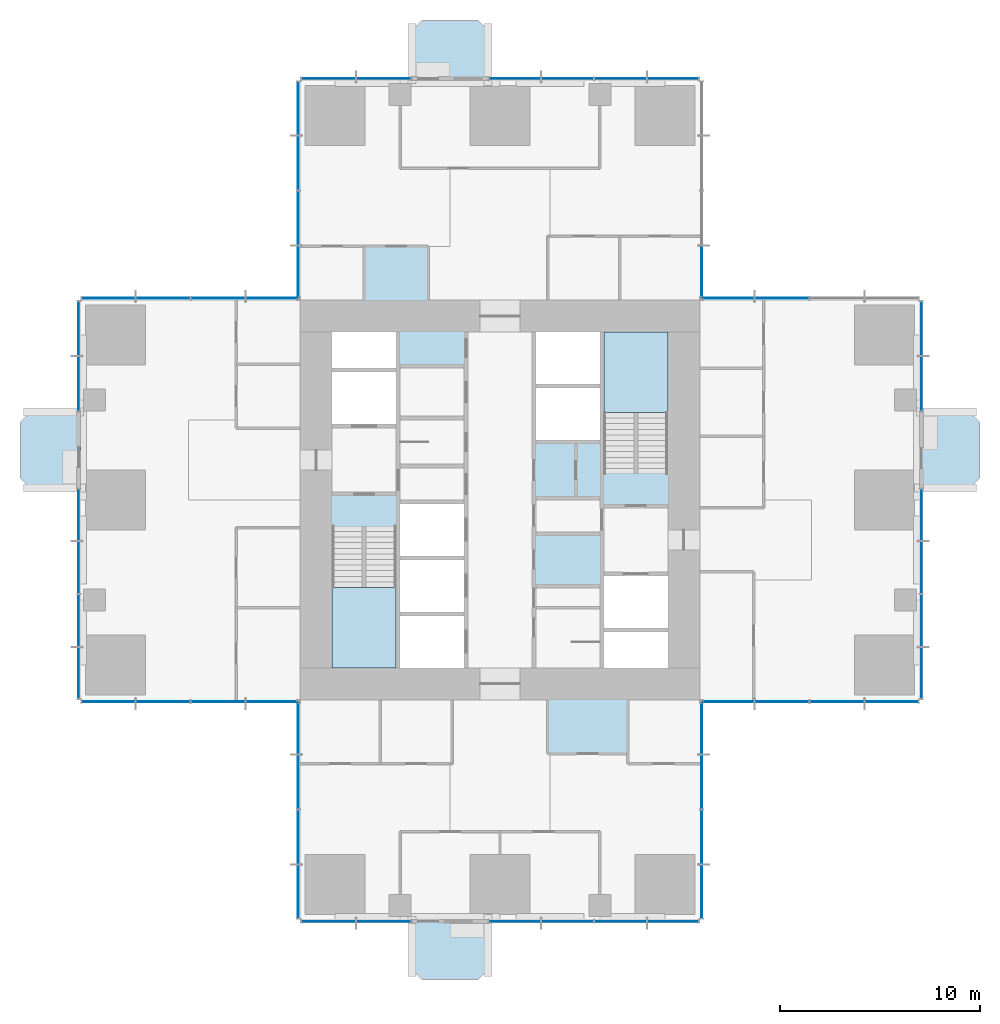
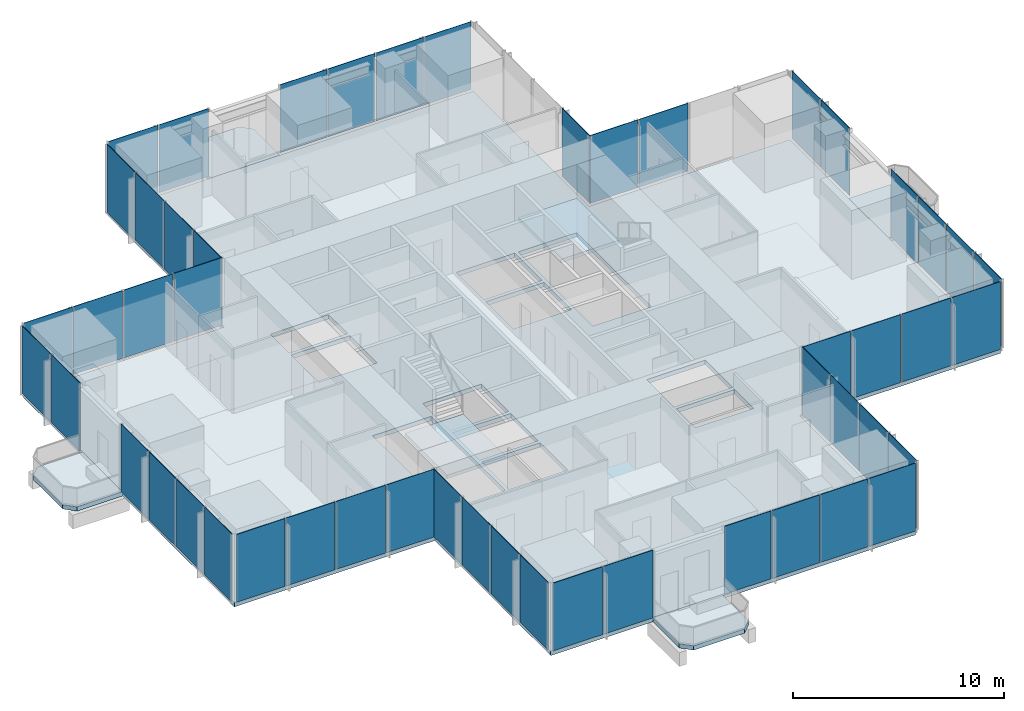
# One storey, part 7 of 13: 51 plates, 7 slabs, 18 elements without a shape of their own.
"""IFC4 building model written with IfcOpenShell, lengths in metres."""

from ifc_helpers import new_model, si_unit, direction, frame, origin, origin_2d, place, context, subcontext, project, spatial, polyline, rectangle, outline, extrude, material, layer, layer_set, type_object, element, aggregate, save


model = new_model("IFC4")

# Units and contexts
model_context = context("Model", 3, precision=1e-05, world=origin(), true_north=direction((0.0, 1.0)))
body_context = subcontext(model_context, "Body", "Model", "MODEL_VIEW")
ifc_project = project(units=[si_unit("LENGTHUNIT", "METRE"), si_unit("AREAUNIT", "SQUARE_METRE"), si_unit("VOLUMEUNIT", "CUBIC_METRE"), si_unit("PLANEANGLEUNIT", "RADIAN"), si_unit("MASSUNIT", "GRAM", prefix="KILO")], contexts=[model_context])

# Site, building, storey
site_placement = place(None, origin())
site = spatial("IfcSite", under=ifc_project, at=site_placement, CompositionType="ELEMENT")
building_placement = place(site_placement, origin())
building = spatial("IfcBuilding", under=site, at=building_placement, Name="Svetlomir Tower", CompositionType="ELEMENT")
storey_placement = place(building_placement, frame((0.0, 0.0, 132.5)))
storey = spatial("IfcBuildingStorey", under=building, at=storey_placement, Name="L31", CompositionType="ELEMENT", Elevation=132.5)

# Slabs
ifc_material_1 = material(Name="Concrete C60/75", Category="concrete")
ifc_layer_1 = layer(ifc_material_1, 0.25)
ifc_layer_set_1 = layer_set([ifc_layer_1], Name="Concrete C60/75")
slab_type_1 = type_object("IfcSlabType", Name="BALCONY SLAB 250", PredefinedType="FLOOR", material=ifc_layer_set_1)
slab_1_placement = place(storey_placement, frame((0.0, 0.0, -0.25)))
element("IfcSlab", 1, at=slab_1_placement, inside=storey, type_object=slab_type_1, Name="L31 S planted balcony", PredefinedType="FLOOR", context=body_context, shape_type="SweptSolid", body=[
    extrude(outline(polyline([(16.60009765625, -2.5), (17.10009765625, -3.0), (19.89990234375, -3.0), (20.39990234375, -2.5), (20.39990234375, 0.0), (16.60009765625, 0.0), (16.60009765625, -2.5)])), origin(), (0.0, 0.0, 1.0), 0.25),
])
slab_2_placement = place(storey_placement, frame((0.0, 0.0, -0.25)))
element("IfcSlab", 2, at=slab_2_placement, inside=storey, type_object=slab_type_1, Name="L31 E planted balcony", PredefinedType="FLOOR", context=body_context, shape_type="SweptSolid", body=[
    extrude(outline(polyline([(42.0, 21.60009765625), (44.5, 21.60009765625), (45.0, 22.10009765625), (45.0, 24.89990234375), (44.5, 25.39990234375), (42.0, 25.39990234375), (42.0, 21.60009765625)])), origin(), (0.0, 0.0, 1.0), 0.25),
])
slab_3_placement = place(storey_placement, frame((0.0, 0.0, -0.25)))
element("IfcSlab", 3, at=slab_3_placement, inside=storey, type_object=slab_type_1, Name="L31 N planted balcony", PredefinedType="FLOOR", context=body_context, shape_type="SweptSolid", body=[
    extrude(outline(polyline([(16.60009765625, 42.0), (20.39990234375, 42.0), (20.39990234375, 44.5), (19.89990234375, 45.0), (17.10009765625, 45.0), (16.60009765625, 44.5), (16.60009765625, 42.0)])), origin(), (0.0, 0.0, 1.0), 0.25),
])
slab_4_placement = place(storey_placement, frame((0.0, 0.0, -0.25)))
element("IfcSlab", 4, at=slab_4_placement, inside=storey, type_object=slab_type_1, Name="L31 W planted balcony", PredefinedType="FLOOR", context=body_context, shape_type="SweptSolid", body=[
    extrude(outline(polyline([(-2.5, 21.60009765625), (0.0, 21.60009765625), (0.0, 25.39990234375), (-2.5, 25.39990234375), (-3.0, 24.89990234375), (-3.0, 22.10009765625), (-2.5, 21.60009765625)])), origin(), (0.0, 0.0, 1.0), 0.25),
])

# Curtain wall, plates
ifc_material_2 = material(Name="Bronze anodised aluminium curtain wall", Category="aluminium")
curtain_wall_type = type_object("IfcCurtainWallType", Name="CURTAIN WALL CW1 TOWER OFFICE", PredefinedType="NOTDEFINED", material=ifc_material_2)
curtain_wall_1_placement = place(storey_placement, origin())
curtain_wall_1 = element("IfcCurtainWall", 5, at=curtain_wall_1_placement, inside=storey, type_object=curtain_wall_type, Name="Curtain wall CW1 L31", PredefinedType="NOTDEFINED")
ifc_material_3 = material(Name="Tinted double glazed unit", Category="glass")
ifc_layer_2 = layer(ifc_material_3, 0.031982421875)
ifc_layer_set_2 = layer_set([ifc_layer_2], Name="Tinted double glazed unit")
plate_type = type_object("IfcPlateType", Name="CW1 GLAZED PANEL 32", PredefinedType="CURTAIN_PANEL", material=ifc_layer_set_2)
plate_1_placement = place(storey_placement, frame((12.416259765625, -0.10009765625, 0.06494140625), z_axis=(0.0, 0.0, 1.0), x_axis=(1.0, 0.0, 0.0)))
plate_1 = element("IfcPlate", 6, at=plate_1_placement, type_object=plate_type, Name="CW1 panel 1.1", PredefinedType="CURTAIN_PANEL", context=body_context, shape_type="SweptSolid", body=[
    extrude(rectangle(XDim=2.702392578125, YDim=0.031982421875, at=origin_2d()), origin(), (0.0, 0.0, 1.0), 3.93505859375),
])
plate_2_placement = place(storey_placement, frame((15.183837890625, -0.10009765625, 0.06494140625), z_axis=(0.0, 0.0, 1.0), x_axis=(1.0, 0.0, 0.0)))
plate_2 = element("IfcPlate", 7, at=plate_2_placement, type_object=plate_type, Name="CW1 panel 2.1", PredefinedType="CURTAIN_PANEL", context=body_context, shape_type="SweptSolid", body=[
    extrude(rectangle(XDim=2.702392578125, YDim=0.031982421875, at=origin_2d()), origin(), (0.0, 0.0, 1.0), 3.93505859375),
])
aggregate(curtain_wall_1, [plate_1, plate_2])

curtain_wall_2_placement = place(storey_placement, origin())
curtain_wall_2 = element("IfcCurtainWall", 8, at=curtain_wall_2_placement, inside=storey, type_object=curtain_wall_type, Name="Curtain wall CW1 L31", PredefinedType="NOTDEFINED")
plate_3_placement = place(storey_placement, frame((21.7412109375, -0.10009765625, 0.06494140625), z_axis=(0.0, 0.0, 1.0), x_axis=(1.0, 0.0, 0.0)))
plate_3 = element("IfcPlate", 9, at=plate_3_placement, type_object=plate_type, Name="CW1 panel 1.1", PredefinedType="CURTAIN_PANEL", context=body_context, shape_type="SweptSolid", body=[
    extrude(rectangle(XDim=2.552490234375, YDim=0.031982421875, at=origin_2d()), origin(), (0.0, 0.0, 1.0), 3.93505859375),
])
plate_4_placement = place(storey_placement, frame((24.375, -0.10009765625, 0.06494140625), z_axis=(0.0, 0.0, 1.0), x_axis=(1.0, 0.0, 0.0)))
plate_4 = element("IfcPlate", 10, at=plate_4_placement, type_object=plate_type, Name="CW1 panel 2.1", PredefinedType="CURTAIN_PANEL", context=body_context, shape_type="SweptSolid", body=[
    extrude(rectangle(XDim=2.5849609375, YDim=0.031982421875, at=origin_2d()), origin(), (0.0, 0.0, 1.0), 3.93505859375),
])
plate_5_placement = place(storey_placement, frame((27.02490234375, -0.10009765625, 0.06494140625), z_axis=(0.0, 0.0, 1.0), x_axis=(1.0, 0.0, 0.0)))
plate_5 = element("IfcPlate", 11, at=plate_5_placement, type_object=plate_type, Name="CW1 panel 3.1", PredefinedType="CURTAIN_PANEL", context=body_context, shape_type="SweptSolid", body=[
    extrude(rectangle(XDim=2.5849609375, YDim=0.031982421875, at=origin_2d()), origin(), (0.0, 0.0, 1.0), 3.93505859375),
])
plate_6_placement = place(storey_placement, frame((29.65869140625, -0.10009765625, 0.06494140625), z_axis=(0.0, 0.0, 1.0), x_axis=(1.0, 0.0, 0.0)))
plate_6 = element("IfcPlate", 12, at=plate_6_placement, type_object=plate_type, Name="CW1 panel 4.1", PredefinedType="CURTAIN_PANEL", context=body_context, shape_type="SweptSolid", body=[
    extrude(rectangle(XDim=2.552490234375, YDim=0.031982421875, at=origin_2d()), origin(), (0.0, 0.0, 1.0), 3.93505859375),
])
aggregate(curtain_wall_2, [plate_3, plate_4, plate_5, plate_6])

curtain_wall_3_placement = place(storey_placement, origin())
curtain_wall_3 = element("IfcCurtainWall", 13, at=curtain_wall_3_placement, inside=storey, type_object=curtain_wall_type, Name="Curtain wall CW1 L31", PredefinedType="NOTDEFINED")
plate_7_placement = place(storey_placement, frame((31.10009765625, 1.391357421875, 0.06494140625), z_axis=(0.0, 0.0, 1.0), x_axis=(0.0, 1.0, 0.0)))
plate_7 = element("IfcPlate", 14, at=plate_7_placement, type_object=plate_type, Name="CW1 panel 1.1", PredefinedType="CURTAIN_PANEL", context=body_context, shape_type="SweptSolid", body=[
    extrude(rectangle(XDim=2.652587890625, YDim=0.031982421875, at=origin_2d()), origin(), (0.0, 0.0, 1.0), 3.93505859375),
])
plate_8_placement = place(storey_placement, frame((31.10009765625, 4.125, 0.06494140625), z_axis=(0.0, 0.0, 1.0), x_axis=(0.0, 1.0, 0.0)))
plate_8 = element("IfcPlate", 15, at=plate_8_placement, type_object=plate_type, Name="CW1 panel 2.1", PredefinedType="CURTAIN_PANEL", context=body_context, shape_type="SweptSolid", body=[
    extrude(rectangle(XDim=2.68505859375, YDim=0.031982421875, at=origin_2d()), origin(), (0.0, 0.0, 1.0), 3.93505859375),
])
plate_9_placement = place(storey_placement, frame((31.10009765625, 6.875, 0.06494140625), z_axis=(0.0, 0.0, 1.0), x_axis=(0.0, 1.0, 0.0)))
plate_9 = element("IfcPlate", 16, at=plate_9_placement, type_object=plate_type, Name="CW1 panel 3.1", PredefinedType="CURTAIN_PANEL", context=body_context, shape_type="SweptSolid", body=[
    extrude(rectangle(XDim=2.68505859375, YDim=0.031982421875, at=origin_2d()), origin(), (0.0, 0.0, 1.0), 3.93505859375),
])
plate_10_placement = place(storey_placement, frame((31.10009765625, 9.608642578125, 0.06494140625), z_axis=(0.0, 0.0, 1.0), x_axis=(0.0, 1.0, 0.0)))
plate_10 = element("IfcPlate", 17, at=plate_10_placement, type_object=plate_type, Name="CW1 panel 4.1", PredefinedType="CURTAIN_PANEL", context=body_context, shape_type="SweptSolid", body=[
    extrude(rectangle(XDim=2.652587890625, YDim=0.031982421875, at=origin_2d()), origin(), (0.0, 0.0, 1.0), 3.93505859375),
])
aggregate(curtain_wall_3, [plate_7, plate_8, plate_9, plate_10])

curtain_wall_4_placement = place(storey_placement, origin())
curtain_wall_4 = element("IfcCurtainWall", 18, at=curtain_wall_4_placement, inside=storey, type_object=curtain_wall_type, Name="Curtain wall CW1 L31", PredefinedType="NOTDEFINED")
plate_11_placement = place(storey_placement, frame((32.391357421875, 10.89990234375, 0.06494140625), z_axis=(0.0, 0.0, 1.0), x_axis=(1.0, 0.0, 0.0)))
plate_11 = element("IfcPlate", 19, at=plate_11_placement, type_object=plate_type, Name="CW1 panel 1.1", PredefinedType="CURTAIN_PANEL", context=body_context, shape_type="SweptSolid", body=[
    extrude(rectangle(XDim=2.652587890625, YDim=0.031982421875, at=origin_2d()), origin(), (0.0, 0.0, 1.0), 3.93505859375),
])
plate_12_placement = place(storey_placement, frame((35.125, 10.89990234375, 0.06494140625), z_axis=(0.0, 0.0, 1.0), x_axis=(1.0, 0.0, 0.0)))
plate_12 = element("IfcPlate", 20, at=plate_12_placement, type_object=plate_type, Name="CW1 panel 2.1", PredefinedType="CURTAIN_PANEL", context=body_context, shape_type="SweptSolid", body=[
    extrude(rectangle(XDim=2.68505859375, YDim=0.031982421875, at=origin_2d()), origin(), (0.0, 0.0, 1.0), 3.93505859375),
])
plate_13_placement = place(storey_placement, frame((37.875, 10.89990234375, 0.06494140625), z_axis=(0.0, 0.0, 1.0), x_axis=(1.0, 0.0, 0.0)))
plate_13 = element("IfcPlate", 21, at=plate_13_placement, type_object=plate_type, Name="CW1 panel 3.1", PredefinedType="CURTAIN_PANEL", context=body_context, shape_type="SweptSolid", body=[
    extrude(rectangle(XDim=2.68505859375, YDim=0.031982421875, at=origin_2d()), origin(), (0.0, 0.0, 1.0), 3.93505859375),
])
plate_14_placement = place(storey_placement, frame((40.608642578125, 10.89990234375, 0.06494140625), z_axis=(0.0, 0.0, 1.0), x_axis=(1.0, 0.0, 0.0)))
plate_14 = element("IfcPlate", 22, at=plate_14_placement, type_object=plate_type, Name="CW1 panel 4.1", PredefinedType="CURTAIN_PANEL", context=body_context, shape_type="SweptSolid", body=[
    extrude(rectangle(XDim=2.652587890625, YDim=0.031982421875, at=origin_2d()), origin(), (0.0, 0.0, 1.0), 3.93505859375),
])
aggregate(curtain_wall_4, [plate_11, plate_12, plate_13, plate_14])

curtain_wall_5_placement = place(storey_placement, origin())
curtain_wall_5 = element("IfcCurtainWall", 23, at=curtain_wall_5_placement, inside=storey, type_object=curtain_wall_type, Name="Curtain wall CW1 L31", PredefinedType="NOTDEFINED")
plate_15_placement = place(storey_placement, frame((42.10009765625, 12.34130859375, 0.06494140625), z_axis=(0.0, 0.0, 1.0), x_axis=(0.0, 1.0, 0.0)))
plate_15 = element("IfcPlate", 24, at=plate_15_placement, type_object=plate_type, Name="CW1 panel 1.1", PredefinedType="CURTAIN_PANEL", context=body_context, shape_type="SweptSolid", body=[
    extrude(rectangle(XDim=2.552490234375, YDim=0.031982421875, at=origin_2d()), origin(), (0.0, 0.0, 1.0), 3.93505859375),
])
plate_16_placement = place(storey_placement, frame((42.10009765625, 14.97509765625, 0.06494140625), z_axis=(0.0, 0.0, 1.0), x_axis=(0.0, 1.0, 0.0)))
plate_16 = element("IfcPlate", 25, at=plate_16_placement, type_object=plate_type, Name="CW1 panel 2.1", PredefinedType="CURTAIN_PANEL", context=body_context, shape_type="SweptSolid", body=[
    extrude(rectangle(XDim=2.5849609375, YDim=0.031982421875, at=origin_2d()), origin(), (0.0, 0.0, 1.0), 3.93505859375),
])
plate_17_placement = place(storey_placement, frame((42.10009765625, 17.625, 0.06494140625), z_axis=(0.0, 0.0, 1.0), x_axis=(0.0, 1.0, 0.0)))
plate_17 = element("IfcPlate", 26, at=plate_17_placement, type_object=plate_type, Name="CW1 panel 3.1", PredefinedType="CURTAIN_PANEL", context=body_context, shape_type="SweptSolid", body=[
    extrude(rectangle(XDim=2.5849609375, YDim=0.031982421875, at=origin_2d()), origin(), (0.0, 0.0, 1.0), 3.93505859375),
])
plate_18_placement = place(storey_placement, frame((42.10009765625, 20.2587890625, 0.06494140625), z_axis=(0.0, 0.0, 1.0), x_axis=(0.0, 1.0, 0.0)))
plate_18 = element("IfcPlate", 27, at=plate_18_placement, type_object=plate_type, Name="CW1 panel 4.1", PredefinedType="CURTAIN_PANEL", context=body_context, shape_type="SweptSolid", body=[
    extrude(rectangle(XDim=2.552490234375, YDim=0.031982421875, at=origin_2d()), origin(), (0.0, 0.0, 1.0), 3.93505859375),
])
aggregate(curtain_wall_5, [plate_15, plate_16, plate_17, plate_18])

curtain_wall_6_placement = place(storey_placement, origin())
curtain_wall_6 = element("IfcCurtainWall", 28, at=curtain_wall_6_placement, inside=storey, type_object=curtain_wall_type, Name="Curtain wall CW1 L31", PredefinedType="NOTDEFINED")
plate_19_placement = place(storey_placement, frame((42.10009765625, 26.816162109375, 0.06494140625), z_axis=(0.0, 0.0, 1.0), x_axis=(0.0, 1.0, 0.0)))
plate_19 = element("IfcPlate", 29, at=plate_19_placement, type_object=plate_type, Name="CW1 panel 1.1", PredefinedType="CURTAIN_PANEL", context=body_context, shape_type="SweptSolid", body=[
    extrude(rectangle(XDim=2.702392578125, YDim=0.031982421875, at=origin_2d()), origin(), (0.0, 0.0, 1.0), 3.93505859375),
])
plate_20_placement = place(storey_placement, frame((42.10009765625, 29.583740234375, 0.06494140625), z_axis=(0.0, 0.0, 1.0), x_axis=(0.0, 1.0, 0.0)))
plate_20 = element("IfcPlate", 30, at=plate_20_placement, type_object=plate_type, Name="CW1 panel 2.1", PredefinedType="CURTAIN_PANEL", context=body_context, shape_type="SweptSolid", body=[
    extrude(rectangle(XDim=2.702392578125, YDim=0.031982421875, at=origin_2d()), origin(), (0.0, 0.0, 1.0), 3.93505859375),
])
aggregate(curtain_wall_6, [plate_19, plate_20])

curtain_wall_7_placement = place(storey_placement, origin())
curtain_wall_7 = element("IfcCurtainWall", 31, at=curtain_wall_7_placement, inside=storey, type_object=curtain_wall_type, Name="Curtain wall CW1 L31", PredefinedType="NOTDEFINED")
plate_21_placement = place(storey_placement, frame((35.125, 31.10009765625, 0.06494140625), z_axis=(0.0, 0.0, 1.0), x_axis=(-1.0, 0.0, 0.0)))
plate_21 = element("IfcPlate", 32, at=plate_21_placement, type_object=plate_type, Name="CW1 panel 3.1", PredefinedType="CURTAIN_PANEL", context=body_context, shape_type="SweptSolid", body=[
    extrude(rectangle(XDim=2.68505859375, YDim=0.031982421875, at=origin_2d()), origin(), (0.0, 0.0, 1.0), 3.93505859375),
])
plate_22_placement = place(storey_placement, frame((32.391357421875, 31.10009765625, 0.06494140625), z_axis=(0.0, 0.0, 1.0), x_axis=(-1.0, 0.0, 0.0)))
plate_22 = element("IfcPlate", 33, at=plate_22_placement, type_object=plate_type, Name="CW1 panel 4.1", PredefinedType="CURTAIN_PANEL", context=body_context, shape_type="SweptSolid", body=[
    extrude(rectangle(XDim=2.652587890625, YDim=0.031982421875, at=origin_2d()), origin(), (0.0, 0.0, 1.0), 3.93505859375),
])
aggregate(curtain_wall_7, [plate_21, plate_22])

# Curtain wall, plate
curtain_wall_8_placement = place(storey_placement, origin())
curtain_wall_8 = element("IfcCurtainWall", 34, at=curtain_wall_8_placement, inside=storey, type_object=curtain_wall_type, Name="Curtain wall CW1 L31", PredefinedType="NOTDEFINED")
plate_23_placement = place(storey_placement, frame((31.10009765625, 32.391357421875, 0.06494140625), z_axis=(0.0, 0.0, 1.0), x_axis=(0.0, 1.0, 0.0)))
plate_23 = element("IfcPlate", 35, at=plate_23_placement, type_object=plate_type, Name="CW1 panel 1.1", PredefinedType="CURTAIN_PANEL", context=body_context, shape_type="SweptSolid", body=[
    extrude(rectangle(XDim=2.652587890625, YDim=0.031982421875, at=origin_2d()), origin(), (0.0, 0.0, 1.0), 3.93505859375),
])
aggregate(curtain_wall_8, [plate_23])

# Curtain wall, plates
curtain_wall_9_placement = place(storey_placement, origin())
curtain_wall_9 = element("IfcCurtainWall", 36, at=curtain_wall_9_placement, inside=storey, type_object=curtain_wall_type, Name="Curtain wall CW1 L31", PredefinedType="NOTDEFINED")
plate_24_placement = place(storey_placement, frame((29.65869140625, 42.10009765625, 0.06494140625), z_axis=(0.0, 0.0, 1.0), x_axis=(-1.0, 0.0, 0.0)))
plate_24 = element("IfcPlate", 37, at=plate_24_placement, type_object=plate_type, Name="CW1 panel 1.1", PredefinedType="CURTAIN_PANEL", context=body_context, shape_type="SweptSolid", body=[
    extrude(rectangle(XDim=2.552490234375, YDim=0.031982421875, at=origin_2d()), origin(), (0.0, 0.0, 1.0), 3.93505859375),
])
plate_25_placement = place(storey_placement, frame((27.02490234375, 42.10009765625, 0.06494140625), z_axis=(0.0, 0.0, 1.0), x_axis=(-1.0, 0.0, 0.0)))
plate_25 = element("IfcPlate", 38, at=plate_25_placement, type_object=plate_type, Name="CW1 panel 2.1", PredefinedType="CURTAIN_PANEL", context=body_context, shape_type="SweptSolid", body=[
    extrude(rectangle(XDim=2.5849609375, YDim=0.031982421875, at=origin_2d()), origin(), (0.0, 0.0, 1.0), 3.93505859375),
])
plate_26_placement = place(storey_placement, frame((24.375, 42.10009765625, 0.06494140625), z_axis=(0.0, 0.0, 1.0), x_axis=(-1.0, 0.0, 0.0)))
plate_26 = element("IfcPlate", 39, at=plate_26_placement, type_object=plate_type, Name="CW1 panel 3.1", PredefinedType="CURTAIN_PANEL", context=body_context, shape_type="SweptSolid", body=[
    extrude(rectangle(XDim=2.5849609375, YDim=0.031982421875, at=origin_2d()), origin(), (0.0, 0.0, 1.0), 3.93505859375),
])
plate_27_placement = place(storey_placement, frame((21.7412109375, 42.10009765625, 0.06494140625), z_axis=(0.0, 0.0, 1.0), x_axis=(-1.0, 0.0, 0.0)))
plate_27 = element("IfcPlate", 40, at=plate_27_placement, type_object=plate_type, Name="CW1 panel 4.1", PredefinedType="CURTAIN_PANEL", context=body_context, shape_type="SweptSolid", body=[
    extrude(rectangle(XDim=2.552490234375, YDim=0.031982421875, at=origin_2d()), origin(), (0.0, 0.0, 1.0), 3.93505859375),
])
aggregate(curtain_wall_9, [plate_24, plate_25, plate_26, plate_27])

curtain_wall_10_placement = place(storey_placement, origin())
curtain_wall_10 = element("IfcCurtainWall", 41, at=curtain_wall_10_placement, inside=storey, type_object=curtain_wall_type, Name="Curtain wall CW1 L31", PredefinedType="NOTDEFINED")
plate_28_placement = place(storey_placement, frame((15.183837890625, 42.10009765625, 0.06494140625), z_axis=(0.0, 0.0, 1.0), x_axis=(-1.0, 0.0, 0.0)))
plate_28 = element("IfcPlate", 42, at=plate_28_placement, type_object=plate_type, Name="CW1 panel 1.1", PredefinedType="CURTAIN_PANEL", context=body_context, shape_type="SweptSolid", body=[
    extrude(rectangle(XDim=2.702392578125, YDim=0.031982421875, at=origin_2d()), origin(), (0.0, 0.0, 1.0), 3.93505859375),
])
plate_29_placement = place(storey_placement, frame((12.416259765625, 42.10009765625, 0.06494140625), z_axis=(0.0, 0.0, 1.0), x_axis=(-1.0, 0.0, 0.0)))
plate_29 = element("IfcPlate", 43, at=plate_29_placement, type_object=plate_type, Name="CW1 panel 2.1", PredefinedType="CURTAIN_PANEL", context=body_context, shape_type="SweptSolid", body=[
    extrude(rectangle(XDim=2.702392578125, YDim=0.031982421875, at=origin_2d()), origin(), (0.0, 0.0, 1.0), 3.93505859375),
])
aggregate(curtain_wall_10, [plate_28, plate_29])

curtain_wall_11_placement = place(storey_placement, origin())
curtain_wall_11 = element("IfcCurtainWall", 44, at=curtain_wall_11_placement, inside=storey, type_object=curtain_wall_type, Name="Curtain wall CW1 L31", PredefinedType="NOTDEFINED")
plate_30_placement = place(storey_placement, frame((10.89990234375, 40.608642578125, 0.06494140625), z_axis=(0.0, 0.0, 1.0), x_axis=(0.0, -1.0, 0.0)))
plate_30 = element("IfcPlate", 45, at=plate_30_placement, type_object=plate_type, Name="CW1 panel 1.1", PredefinedType="CURTAIN_PANEL", context=body_context, shape_type="SweptSolid", body=[
    extrude(rectangle(XDim=2.652587890625, YDim=0.031982421875, at=origin_2d()), origin(), (0.0, 0.0, 1.0), 3.93505859375),
])
plate_31_placement = place(storey_placement, frame((10.89990234375, 37.875, 0.06494140625), z_axis=(0.0, 0.0, 1.0), x_axis=(0.0, -1.0, 0.0)))
plate_31 = element("IfcPlate", 46, at=plate_31_placement, type_object=plate_type, Name="CW1 panel 2.1", PredefinedType="CURTAIN_PANEL", context=body_context, shape_type="SweptSolid", body=[
    extrude(rectangle(XDim=2.68505859375, YDim=0.031982421875, at=origin_2d()), origin(), (0.0, 0.0, 1.0), 3.93505859375),
])
plate_32_placement = place(storey_placement, frame((10.89990234375, 35.125, 0.06494140625), z_axis=(0.0, 0.0, 1.0), x_axis=(0.0, -1.0, 0.0)))
plate_32 = element("IfcPlate", 47, at=plate_32_placement, type_object=plate_type, Name="CW1 panel 3.1", PredefinedType="CURTAIN_PANEL", context=body_context, shape_type="SweptSolid", body=[
    extrude(rectangle(XDim=2.68505859375, YDim=0.031982421875, at=origin_2d()), origin(), (0.0, 0.0, 1.0), 3.93505859375),
])
plate_33_placement = place(storey_placement, frame((10.89990234375, 32.391357421875, 0.06494140625), z_axis=(0.0, 0.0, 1.0), x_axis=(0.0, -1.0, 0.0)))
plate_33 = element("IfcPlate", 48, at=plate_33_placement, type_object=plate_type, Name="CW1 panel 4.1", PredefinedType="CURTAIN_PANEL", context=body_context, shape_type="SweptSolid", body=[
    extrude(rectangle(XDim=2.652587890625, YDim=0.031982421875, at=origin_2d()), origin(), (0.0, 0.0, 1.0), 3.93505859375),
])
aggregate(curtain_wall_11, [plate_30, plate_31, plate_32, plate_33])

curtain_wall_12_placement = place(storey_placement, origin())
curtain_wall_12 = element("IfcCurtainWall", 49, at=curtain_wall_12_placement, inside=storey, type_object=curtain_wall_type, Name="Curtain wall CW1 L31", PredefinedType="NOTDEFINED")
plate_34_placement = place(storey_placement, frame((9.608642578125, 31.10009765625, 0.06494140625), z_axis=(0.0, 0.0, 1.0), x_axis=(-1.0, 0.0, 0.0)))
plate_34 = element("IfcPlate", 50, at=plate_34_placement, type_object=plate_type, Name="CW1 panel 1.1", PredefinedType="CURTAIN_PANEL", context=body_context, shape_type="SweptSolid", body=[
    extrude(rectangle(XDim=2.652587890625, YDim=0.031982421875, at=origin_2d()), origin(), (0.0, 0.0, 1.0), 3.93505859375),
])
plate_35_placement = place(storey_placement, frame((6.875, 31.10009765625, 0.06494140625), z_axis=(0.0, 0.0, 1.0), x_axis=(-1.0, 0.0, 0.0)))
plate_35 = element("IfcPlate", 51, at=plate_35_placement, type_object=plate_type, Name="CW1 panel 2.1", PredefinedType="CURTAIN_PANEL", context=body_context, shape_type="SweptSolid", body=[
    extrude(rectangle(XDim=2.68505859375, YDim=0.031982421875, at=origin_2d()), origin(), (0.0, 0.0, 1.0), 3.93505859375),
])
plate_36_placement = place(storey_placement, frame((4.125, 31.10009765625, 0.06494140625), z_axis=(0.0, 0.0, 1.0), x_axis=(-1.0, 0.0, 0.0)))
plate_36 = element("IfcPlate", 52, at=plate_36_placement, type_object=plate_type, Name="CW1 panel 3.1", PredefinedType="CURTAIN_PANEL", context=body_context, shape_type="SweptSolid", body=[
    extrude(rectangle(XDim=2.68505859375, YDim=0.031982421875, at=origin_2d()), origin(), (0.0, 0.0, 1.0), 3.93505859375),
])
plate_37_placement = place(storey_placement, frame((1.391357421875, 31.10009765625, 0.06494140625), z_axis=(0.0, 0.0, 1.0), x_axis=(-1.0, 0.0, 0.0)))
plate_37 = element("IfcPlate", 53, at=plate_37_placement, type_object=plate_type, Name="CW1 panel 4.1", PredefinedType="CURTAIN_PANEL", context=body_context, shape_type="SweptSolid", body=[
    extrude(rectangle(XDim=2.652587890625, YDim=0.031982421875, at=origin_2d()), origin(), (0.0, 0.0, 1.0), 3.93505859375),
])
aggregate(curtain_wall_12, [plate_34, plate_35, plate_36, plate_37])

curtain_wall_13_placement = place(storey_placement, origin())
curtain_wall_13 = element("IfcCurtainWall", 54, at=curtain_wall_13_placement, inside=storey, type_object=curtain_wall_type, Name="Curtain wall CW1 L31", PredefinedType="NOTDEFINED")
plate_38_placement = place(storey_placement, frame((-0.10009765625, 29.583740234375, 0.06494140625), z_axis=(0.0, 0.0, 1.0), x_axis=(0.0, -1.0, 0.0)))
plate_38 = element("IfcPlate", 55, at=plate_38_placement, type_object=plate_type, Name="CW1 panel 1.1", PredefinedType="CURTAIN_PANEL", context=body_context, shape_type="SweptSolid", body=[
    extrude(rectangle(XDim=2.702392578125, YDim=0.031982421875, at=origin_2d()), origin(), (0.0, 0.0, 1.0), 3.93505859375),
])
plate_39_placement = place(storey_placement, frame((-0.10009765625, 26.816162109375, 0.06494140625), z_axis=(0.0, 0.0, 1.0), x_axis=(0.0, -1.0, 0.0)))
plate_39 = element("IfcPlate", 56, at=plate_39_placement, type_object=plate_type, Name="CW1 panel 2.1", PredefinedType="CURTAIN_PANEL", context=body_context, shape_type="SweptSolid", body=[
    extrude(rectangle(XDim=2.702392578125, YDim=0.031982421875, at=origin_2d()), origin(), (0.0, 0.0, 1.0), 3.93505859375),
])
aggregate(curtain_wall_13, [plate_38, plate_39])

curtain_wall_14_placement = place(storey_placement, origin())
curtain_wall_14 = element("IfcCurtainWall", 57, at=curtain_wall_14_placement, inside=storey, type_object=curtain_wall_type, Name="Curtain wall CW1 L31", PredefinedType="NOTDEFINED")
plate_40_placement = place(storey_placement, frame((-0.10009765625, 20.2587890625, 0.06494140625), z_axis=(0.0, 0.0, 1.0), x_axis=(0.0, -1.0, 0.0)))
plate_40 = element("IfcPlate", 58, at=plate_40_placement, type_object=plate_type, Name="CW1 panel 1.1", PredefinedType="CURTAIN_PANEL", context=body_context, shape_type="SweptSolid", body=[
    extrude(rectangle(XDim=2.552490234375, YDim=0.031982421875, at=origin_2d()), origin(), (0.0, 0.0, 1.0), 3.93505859375),
])
plate_41_placement = place(storey_placement, frame((-0.10009765625, 17.625, 0.06494140625), z_axis=(0.0, 0.0, 1.0), x_axis=(0.0, -1.0, 0.0)))
plate_41 = element("IfcPlate", 59, at=plate_41_placement, type_object=plate_type, Name="CW1 panel 2.1", PredefinedType="CURTAIN_PANEL", context=body_context, shape_type="SweptSolid", body=[
    extrude(rectangle(XDim=2.5849609375, YDim=0.031982421875, at=origin_2d()), origin(), (0.0, 0.0, 1.0), 3.93505859375),
])
plate_42_placement = place(storey_placement, frame((-0.10009765625, 14.97509765625, 0.06494140625), z_axis=(0.0, 0.0, 1.0), x_axis=(0.0, -1.0, 0.0)))
plate_42 = element("IfcPlate", 60, at=plate_42_placement, type_object=plate_type, Name="CW1 panel 3.1", PredefinedType="CURTAIN_PANEL", context=body_context, shape_type="SweptSolid", body=[
    extrude(rectangle(XDim=2.5849609375, YDim=0.031982421875, at=origin_2d()), origin(), (0.0, 0.0, 1.0), 3.93505859375),
])
plate_43_placement = place(storey_placement, frame((-0.10009765625, 12.34130859375, 0.06494140625), z_axis=(0.0, 0.0, 1.0), x_axis=(0.0, -1.0, 0.0)))
plate_43 = element("IfcPlate", 61, at=plate_43_placement, type_object=plate_type, Name="CW1 panel 4.1", PredefinedType="CURTAIN_PANEL", context=body_context, shape_type="SweptSolid", body=[
    extrude(rectangle(XDim=2.552490234375, YDim=0.031982421875, at=origin_2d()), origin(), (0.0, 0.0, 1.0), 3.93505859375),
])
aggregate(curtain_wall_14, [plate_40, plate_41, plate_42, plate_43])

curtain_wall_15_placement = place(storey_placement, origin())
curtain_wall_15 = element("IfcCurtainWall", 62, at=curtain_wall_15_placement, inside=storey, type_object=curtain_wall_type, Name="Curtain wall CW1 L31", PredefinedType="NOTDEFINED")
plate_44_placement = place(storey_placement, frame((1.391357421875, 10.89990234375, 0.06494140625), z_axis=(0.0, 0.0, 1.0), x_axis=(1.0, 0.0, 0.0)))
plate_44 = element("IfcPlate", 63, at=plate_44_placement, type_object=plate_type, Name="CW1 panel 1.1", PredefinedType="CURTAIN_PANEL", context=body_context, shape_type="SweptSolid", body=[
    extrude(rectangle(XDim=2.652587890625, YDim=0.031982421875, at=origin_2d()), origin(), (0.0, 0.0, 1.0), 3.93505859375),
])
plate_45_placement = place(storey_placement, frame((4.125, 10.89990234375, 0.06494140625), z_axis=(0.0, 0.0, 1.0), x_axis=(1.0, 0.0, 0.0)))
plate_45 = element("IfcPlate", 64, at=plate_45_placement, type_object=plate_type, Name="CW1 panel 2.1", PredefinedType="CURTAIN_PANEL", context=body_context, shape_type="SweptSolid", body=[
    extrude(rectangle(XDim=2.68505859375, YDim=0.031982421875, at=origin_2d()), origin(), (0.0, 0.0, 1.0), 3.93505859375),
])
plate_46_placement = place(storey_placement, frame((6.875, 10.89990234375, 0.06494140625), z_axis=(0.0, 0.0, 1.0), x_axis=(1.0, 0.0, 0.0)))
plate_46 = element("IfcPlate", 65, at=plate_46_placement, type_object=plate_type, Name="CW1 panel 3.1", PredefinedType="CURTAIN_PANEL", context=body_context, shape_type="SweptSolid", body=[
    extrude(rectangle(XDim=2.68505859375, YDim=0.031982421875, at=origin_2d()), origin(), (0.0, 0.0, 1.0), 3.93505859375),
])
plate_47_placement = place(storey_placement, frame((9.608642578125, 10.89990234375, 0.06494140625), z_axis=(0.0, 0.0, 1.0), x_axis=(1.0, 0.0, 0.0)))
plate_47 = element("IfcPlate", 66, at=plate_47_placement, type_object=plate_type, Name="CW1 panel 4.1", PredefinedType="CURTAIN_PANEL", context=body_context, shape_type="SweptSolid", body=[
    extrude(rectangle(XDim=2.652587890625, YDim=0.031982421875, at=origin_2d()), origin(), (0.0, 0.0, 1.0), 3.93505859375),
])
aggregate(curtain_wall_15, [plate_44, plate_45, plate_46, plate_47])

curtain_wall_16_placement = place(storey_placement, origin())
curtain_wall_16 = element("IfcCurtainWall", 67, at=curtain_wall_16_placement, inside=storey, type_object=curtain_wall_type, Name="Curtain wall CW1 L31", PredefinedType="NOTDEFINED")
plate_48_placement = place(storey_placement, frame((10.89990234375, 9.608642578125, 0.06494140625), z_axis=(0.0, 0.0, 1.0), x_axis=(0.0, -1.0, 0.0)))
plate_48 = element("IfcPlate", 68, at=plate_48_placement, type_object=plate_type, Name="CW1 panel 1.1", PredefinedType="CURTAIN_PANEL", context=body_context, shape_type="SweptSolid", body=[
    extrude(rectangle(XDim=2.652587890625, YDim=0.031982421875, at=origin_2d()), origin(), (0.0, 0.0, 1.0), 3.93505859375),
])
plate_49_placement = place(storey_placement, frame((10.89990234375, 6.875, 0.06494140625), z_axis=(0.0, 0.0, 1.0), x_axis=(0.0, -1.0, 0.0)))
plate_49 = element("IfcPlate", 69, at=plate_49_placement, type_object=plate_type, Name="CW1 panel 2.1", PredefinedType="CURTAIN_PANEL", context=body_context, shape_type="SweptSolid", body=[
    extrude(rectangle(XDim=2.68505859375, YDim=0.031982421875, at=origin_2d()), origin(), (0.0, 0.0, 1.0), 3.93505859375),
])
plate_50_placement = place(storey_placement, frame((10.89990234375, 4.125, 0.06494140625), z_axis=(0.0, 0.0, 1.0), x_axis=(0.0, -1.0, 0.0)))
plate_50 = element("IfcPlate", 70, at=plate_50_placement, type_object=plate_type, Name="CW1 panel 3.1", PredefinedType="CURTAIN_PANEL", context=body_context, shape_type="SweptSolid", body=[
    extrude(rectangle(XDim=2.68505859375, YDim=0.031982421875, at=origin_2d()), origin(), (0.0, 0.0, 1.0), 3.93505859375),
])
plate_51_placement = place(storey_placement, frame((10.89990234375, 1.391357421875, 0.06494140625), z_axis=(0.0, 0.0, 1.0), x_axis=(0.0, -1.0, 0.0)))
plate_51 = element("IfcPlate", 71, at=plate_51_placement, type_object=plate_type, Name="CW1 panel 4.1", PredefinedType="CURTAIN_PANEL", context=body_context, shape_type="SweptSolid", body=[
    extrude(rectangle(XDim=2.652587890625, YDim=0.031982421875, at=origin_2d()), origin(), (0.0, 0.0, 1.0), 3.93505859375),
])
aggregate(curtain_wall_16, [plate_48, plate_49, plate_50, plate_51])

# Slab
ifc_material_4 = material(Name="Concrete C60/75", Category="concrete")
ifc_layer_3 = layer(ifc_material_4, 0.25)
ifc_layer_set_3 = layer_set([ifc_layer_3], Name="Concrete C60/75")
slab_type_2 = type_object("IfcSlabType", Name="FLOOR SLAB 250", PredefinedType="FLOOR", material=ifc_layer_set_3)
slab_5_placement = place(storey_placement, frame((0.0, 0.0, -0.25)))
element("IfcSlab", 72, at=slab_5_placement, inside=storey, type_object=slab_type_2, Name="L31 floor slab", PredefinedType="FLOOR", context=body_context, shape_type="SweptSolid", body=[
    extrude(outline(polyline([(11.0, 0.0), (31.0, 0.0), (31.0, 11.0), (42.0, 11.0), (42.0, 31.0), (31.0, 31.0), (31.0, 42.0), (11.0, 42.0), (11.0, 31.0), (0.0, 31.0), (0.0, 11.0), (11.0, 11.0), (11.0, 0.0)]), holes=[polyline([(12.60009765625, 24.800048828125), (15.800048828125, 24.800048828125), (15.800048828125, 27.39990234375), (12.60009765625, 27.39990234375), (12.60009765625, 24.800048828125)]), polyline([(26.199951171875, 14.60009765625), (29.39990234375, 14.60009765625), (29.39990234375, 17.199951171875), (26.199951171875, 17.199951171875), (26.199951171875, 14.60009765625)]), polyline([(16.0, 12.60009765625), (19.199951171875, 12.60009765625), (19.199951171875, 15.199951171875), (16.0, 15.199951171875), (16.0, 12.60009765625)]), polyline([(16.0, 15.39990234375), (19.199951171875, 15.39990234375), (19.199951171875, 18.0), (16.0, 18.0), (16.0, 15.39990234375)]), polyline([(16.0, 18.199951171875), (19.199951171875, 18.199951171875), (19.199951171875, 20.800048828125), (16.0, 20.800048828125), (16.0, 18.199951171875)]), polyline([(22.800048828125, 24.0), (26.0, 24.0), (26.0, 26.60009765625), (22.800048828125, 26.60009765625), (22.800048828125, 24.0)]), polyline([(22.800048828125, 26.800048828125), (26.0, 26.800048828125), (26.0, 29.39990234375), (22.800048828125, 29.39990234375), (22.800048828125, 26.800048828125)]), polyline([(12.60009765625, 27.60009765625), (15.800048828125, 27.60009765625), (15.800048828125, 29.39990234375), (12.60009765625, 29.39990234375), (12.60009765625, 27.60009765625)]), polyline([(26.199951171875, 12.60009765625), (29.39990234375, 12.60009765625), (29.39990234375, 14.39990234375), (26.199951171875, 14.39990234375), (26.199951171875, 12.60009765625)]), polyline([(12.60009765625, 12.60009765625), (15.800048828125, 12.60009765625), (15.800048828125, 19.679931640625), (12.60009765625, 19.679931640625), (12.60009765625, 12.60009765625)]), polyline([(26.199951171875, 22.320068359375), (29.39990234375, 22.320068359375), (29.39990234375, 29.39990234375), (26.199951171875, 29.39990234375), (26.199951171875, 22.320068359375)])]), origin(), (0.0, 0.0, 1.0), 0.25),
])

# Stair, slab
ifc_material_5 = material(Name="Concrete C60/75", Category="concrete")
stair_type = type_object("IfcStairType", Name="EXIT STAIR 3200 RISE 4000", PredefinedType="HALF_TURN_STAIR", material=ifc_material_5)
stair_1_placement = place(storey_placement, origin())
stair_1 = element("IfcStair", 73, at=stair_1_placement, inside=storey, type_object=stair_type, Name="Stair S1 L31 to L32", PredefinedType="HALF_TURN_STAIR")
ifc_material_6 = material(Name="Concrete C60/75", Category="concrete")
ifc_layer_4 = layer(ifc_material_6, 0.199951171875)
ifc_layer_set_4 = layer_set([ifc_layer_4], Name="Concrete C60/75")
slab_type_3 = type_object("IfcSlabType", Name="STAIR LANDING 200", PredefinedType="LANDING", material=ifc_layer_set_4)
slab_6_placement = place(storey_placement, frame((0.0, 0.0, 1.800048828125)))
slab_6 = element("IfcSlab", 74, at=slab_6_placement, type_object=slab_type_3, Name="S1 landing 1", PredefinedType="LANDING", context=body_context, shape_type="SweptSolid", body=[
    extrude(outline(polyline([(12.60009765625, 12.60009765625), (15.800048828125, 12.60009765625), (15.800048828125, 16.6201171875), (12.60009765625, 16.6201171875), (12.60009765625, 12.60009765625)])), origin(), (0.0, 0.0, 1.0), 0.199951171875),
])
aggregate(stair_1, [slab_6])

stair_2_placement = place(storey_placement, origin())
stair_2 = element("IfcStair", 75, at=stair_2_placement, inside=storey, type_object=stair_type, Name="Stair S2 L31 to L32", PredefinedType="HALF_TURN_STAIR")
slab_7_placement = place(storey_placement, frame((0.0, 0.0, 1.800048828125)))
slab_7 = element("IfcSlab", 76, at=slab_7_placement, type_object=slab_type_3, Name="S2 landing 1", PredefinedType="LANDING", context=body_context, shape_type="SweptSolid", body=[
    extrude(outline(polyline([(26.199951171875, 25.3798828125), (29.39990234375, 25.3798828125), (29.39990234375, 29.39990234375), (26.199951171875, 29.39990234375), (26.199951171875, 25.3798828125)])), origin(), (0.0, 0.0, 1.0), 0.199951171875),
])
aggregate(stair_2, [slab_7])

save(model, "model.ifc")
